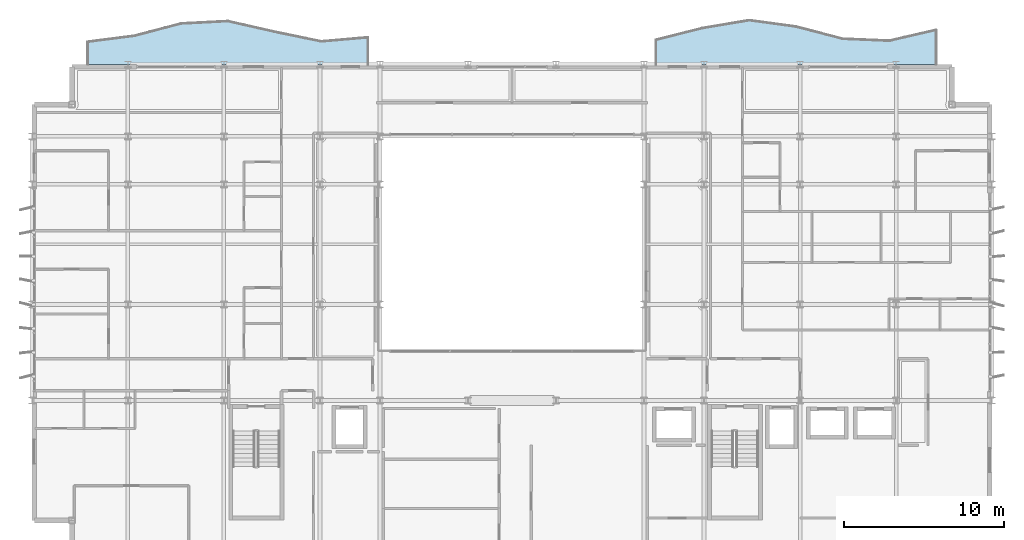
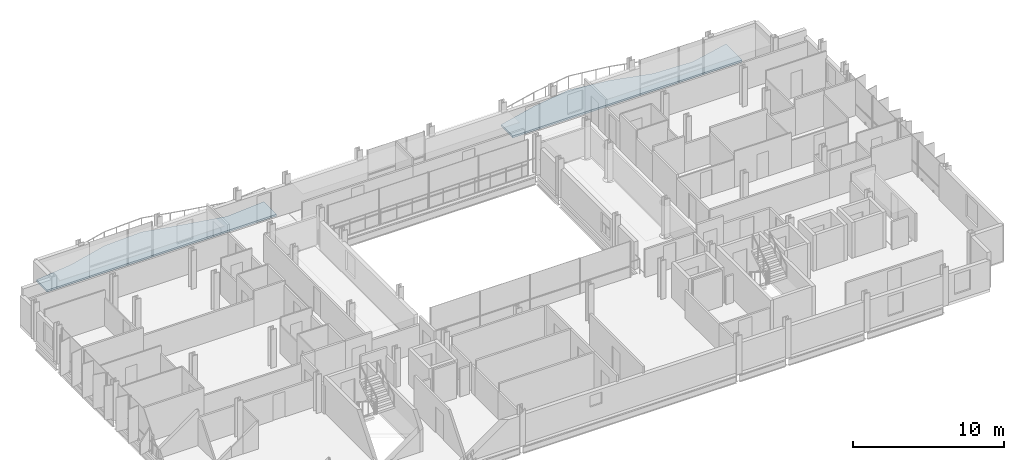
# One storey, part 27 of 38: 2 slabs.
"""IFC4 building model written with IfcOpenShell, lengths in metres."""

from ifc_helpers import new_model, si_unit, direction, frame, origin, place, context, subcontext, project, spatial, polyline, outline, extrude, material, layer, layer_set, type_object, element, save


model = new_model("IFC4")

# Units and contexts
model_context = context("Model", 3, precision=1e-05, world=origin(), true_north=direction((0.0, 1.0)))
body_context = subcontext(model_context, "Body", "Model", "MODEL_VIEW")
ifc_project = project(units=[si_unit("LENGTHUNIT", "METRE"), si_unit("AREAUNIT", "SQUARE_METRE"), si_unit("VOLUMEUNIT", "CUBIC_METRE"), si_unit("PLANEANGLEUNIT", "RADIAN"), si_unit("MASSUNIT", "GRAM", prefix="KILO")], contexts=[model_context])

# Site, building, storey
site_placement = place(None, origin())
site = spatial("IfcSite", under=ifc_project, at=site_placement, CompositionType="ELEMENT")
building_placement = place(site_placement, origin())
building = spatial("IfcBuilding", under=site, at=building_placement, Name="Brevholm Reach", CompositionType="ELEMENT")
storey_placement = place(building_placement, frame((0.0, 0.0, 166.60009765625)))
storey = spatial("IfcBuildingStorey", under=building, at=storey_placement, Name="L50", CompositionType="ELEMENT", Elevation=166.60009765625)

# Slabs
ifc_material = material(Name="Precast Concrete C45/55", Category="concrete")
ifc_layer = layer(ifc_material, 0.14990234375)
ifc_layer_set = layer_set([ifc_layer], Name="Precast Concrete C45/55")
slab_type = type_object("IfcSlabType", Name="SLB-BAL-150", PredefinedType="FLOOR", material=ifc_layer_set)
slab_1_placement = place(storey_placement, frame((0.0, 0.0, -0.150146484375)))
element("IfcSlab", 1, at=slab_1_placement, inside=storey, type_object=slab_type, Name="L50 Rippling External Balcony NE", PredefinedType="FLOOR", context=body_context, shape_type="SweptSolid", body=[
    extrude(outline(polyline([(39.0, 31.0), (56.5, 31.0), (56.5, 33.1455078125), (53.583251953125, 32.46826171875), (50.666748046875, 32.58935546875), (47.75, 33.349609375), (44.833251953125, 33.748291015625), (41.916748046875, 33.260986328125), (39.0, 32.52880859375), (39.0, 31.0)])), origin(), (0.0, 0.0, 1.0), 0.150146484375),
])
slab_2_placement = place(storey_placement, frame((0.0, 0.0, -0.150146484375)))
element("IfcSlab", 2, at=slab_2_placement, inside=storey, type_object=slab_type, Name="L50 Rippling External Balcony NW", PredefinedType="FLOOR", context=body_context, shape_type="SweptSolid", body=[
    extrude(outline(polyline([(3.5, 31.0), (21.0, 31.0), (21.0, 32.67822265625), (18.083251953125, 32.426025390625), (15.166748046875, 33.02783203125), (12.25, 33.691650390625), (9.333251953125, 33.5439453125), (6.416748046875, 32.779052734375), (3.5, 32.40380859375), (3.5, 31.0)])), origin(), (0.0, 0.0, 1.0), 0.150146484375),
])

save(model, "model.ifc")
